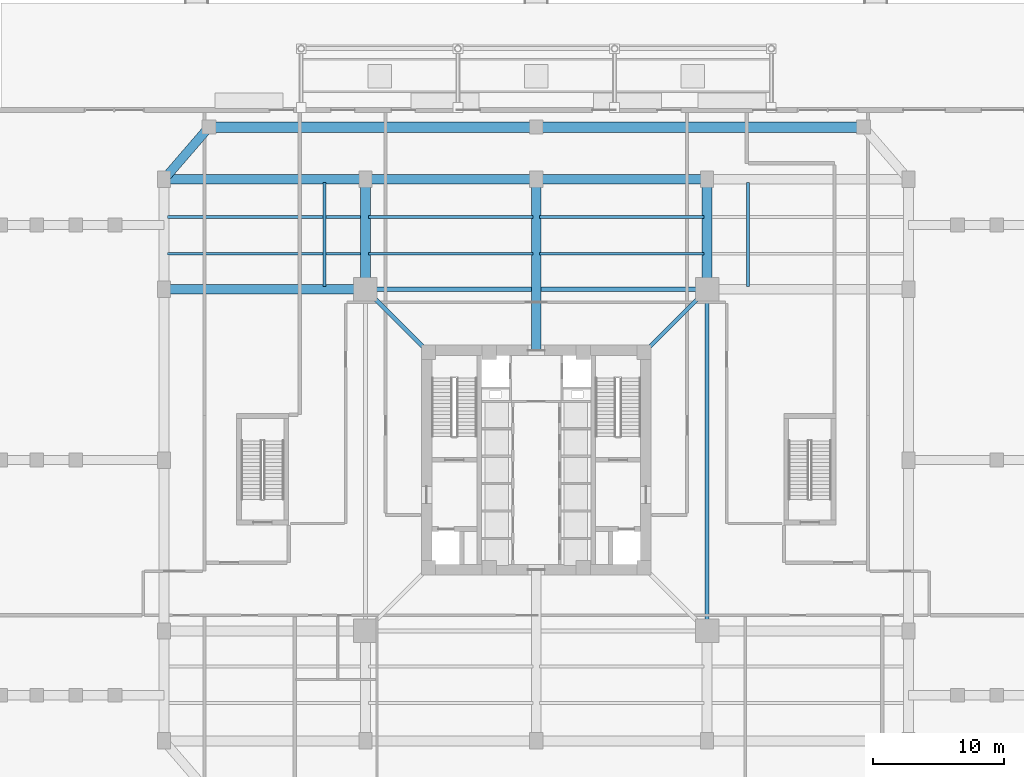
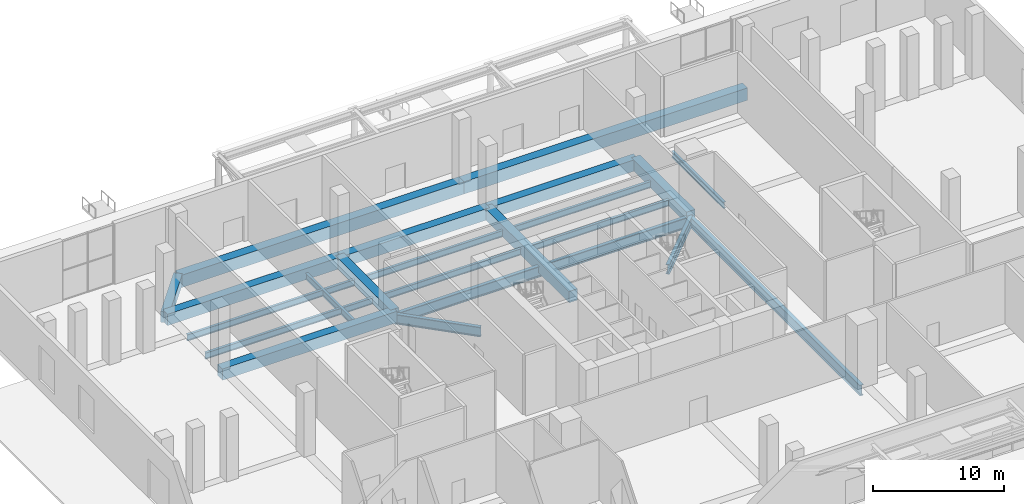
# One storey, part 9 of 25: 22 beams.
"""IFC4 building model written with IfcOpenShell, lengths in metres."""

from ifc_helpers import new_model, si_unit, direction, frame, origin, origin_2d, place, context, subcontext, project, spatial, rectangle, i_section, extrude, source, transform, mapped, material, material_profile, profile_set, type_object, element, save


model = new_model("IFC4")

# Units and contexts
model_context = context("Model", 3, precision=1e-05, world=origin(), true_north=direction((0.0, 1.0)))
body_context = subcontext(model_context, "Body", "Model", "MODEL_VIEW")
ifc_project = project(units=[si_unit("LENGTHUNIT", "METRE"), si_unit("AREAUNIT", "SQUARE_METRE"), si_unit("VOLUMEUNIT", "CUBIC_METRE"), si_unit("PLANEANGLEUNIT", "RADIAN"), si_unit("MASSUNIT", "GRAM", prefix="KILO"), si_unit("THERMODYNAMICTEMPERATUREUNIT", "KELVIN")], contexts=[model_context])

# Site, building, storey
site_placement = place(None, origin())
site = spatial("IfcSite", under=ifc_project, at=site_placement, CompositionType="ELEMENT")
building_placement = place(site_placement, origin())
building = spatial("IfcBuilding", under=site, at=building_placement, Name="Kosmvard Interchange Tower", CompositionType="ELEMENT")
storey_placement = place(building_placement, origin())
storey = spatial("IfcBuildingStorey", under=building, at=storey_placement, Name="L00", CompositionType="ELEMENT", Elevation=0.0)

# Beams
ifc_material_1 = material(Name="Steel S460", Category="steel")
ifc_material_profile_1 = material_profile(ifc_material_1, i_section(OverallWidth=0.30810546875, OverallDepth=0.909912109375, WebThickness=0.02099609375, FlangeThickness=0.0400390625, FilletRadius=0.027099609375, at=origin_2d()), Name="HEM 900")
ifc_profile_set_1 = profile_set([ifc_material_profile_1], Name="Steel S460")
beam_type_1 = type_object("IfcBeamType", Name="Primary Mega-Frame Girder HEM 900 S460", PredefinedType="BEAM", material=ifc_profile_set_1)
shared_shape_1 = source(origin(), body_context, "Body", "SweptSolid", [
    extrude(i_section(OverallWidth=0.30810546875, OverallDepth=0.909912109375, WebThickness=0.02099609375, FlangeThickness=0.0400390625, FilletRadius=0.027099609375, at=origin_2d()), origin(), (0.0, 0.0, 1.0), 6.83203125),
])
for number, where, z_axis, x_axis, name in (
    (1, (8.25, 8.25, -0.85498046875), (0.707106781187, 0.707106781187, 0.0), (-0.707106781187, 0.707106781187, 0.0), "L00 Radial Mega-Frame Girder 3"),
    (2, (-8.25, 8.25, -0.85498046875), (-0.707106781187, 0.707106781187, 0.0), (-0.707106781187, -0.707106781187, 0.0), "L00 Radial Mega-Frame Girder 4"),
):
    element("IfcBeam", number, at=place(storey_placement, frame(where, z_axis=z_axis, x_axis=x_axis)), inside=storey, type_object=beam_type_1, Name=name, PredefinedType="BEAM", context=body_context, shape_type="MappedRepresentation", body=[
        mapped(shared_shape_1, transform((0.0, 0.0, 0.0), scale=1.0)),
    ])
ifc_material_profile_2 = material_profile(ifc_material_1, i_section(OverallWidth=0.30908203125, OverallDepth=1.008056640625, WebThickness=0.02099609375, FlangeThickness=0.0400390625, FilletRadius=0.030029296875, at=origin_2d()), Name="HEM 1000")
ifc_profile_set_2 = profile_set([ifc_material_profile_2], Name="Steel S460")
beam_type_2 = type_object("IfcBeamType", Name="Mega-Column Ring Girder HEM 1000 S460", PredefinedType="BEAM", material=ifc_profile_set_2)
shared_shape_2 = source(origin(), body_context, "Body", "SweptSolid", [
    extrude(i_section(OverallWidth=0.30908203125, OverallDepth=1.008056640625, WebThickness=0.02099609375, FlangeThickness=0.0400390625, FilletRadius=0.030029296875, at=origin_2d()), origin(), (0.0, 0.0, 1.0), 26.162109375),
])
for number, where, z_axis, x_axis, name in (
    (3, (13.0810546875, -13.0810546875, -0.904052734375), (0.0, 1.0, 0.0), (-1.0, 0.0, 0.0), "L00 Mega-Column Ring Girder 2"),
    (4, (13.0810546875, 13.0810546875, -0.904052734375), (-1.0, 0.0, 0.0), (0.0, -1.0, 0.0), "L00 Mega-Column Ring Girder 3"),
):
    element("IfcBeam", number, at=place(storey_placement, frame(where, z_axis=z_axis, x_axis=x_axis)), inside=storey, type_object=beam_type_2, Name=name, PredefinedType="BEAM", context=body_context, shape_type="MappedRepresentation", body=[
        mapped(shared_shape_2, transform((0.0, 0.0, 0.0), scale=1.0)),
    ])
ifc_material_2 = material(Name="Steel S355", Category="steel")
ifc_material_profile_3 = material_profile(ifc_material_2, i_section(OverallWidth=0.219970703125, OverallDepth=0.60009765625, WebThickness=0.011962890625, FlangeThickness=0.01904296875, FilletRadius=0.02392578125, at=origin_2d()), Name="IPE 600")
ifc_profile_set_3 = profile_set([ifc_material_profile_3], Name="Steel S355")
beam_type_3 = type_object("IfcBeamType", Name="Long-Span Floor Joist IPE 600 S355", PredefinedType="JOIST", material=ifc_profile_set_3)
shared_shape_3 = source(origin(), body_context, "Body", "SweptSolid", [
    extrude(i_section(OverallWidth=0.219970703125, OverallDepth=0.60009765625, WebThickness=0.011962890625, FlangeThickness=0.01904296875, FilletRadius=0.02392578125, at=origin_2d()), origin(), (0.0, 0.0, 1.0), 14.949951171875),
])
for number, where, z_axis, x_axis, name in (
    (5, (-28.25, 15.800048828125, -0.699951171875), (1.0, 0.0, 0.0), (0.0, 1.0, 0.0), "BM-L00-PJ09"),
    (6, (-28.25, 18.60009765625, -0.699951171875), (1.0, 0.0, 0.0), (0.0, 1.0, 0.0), "BM-L00-PJ13"),
):
    element("IfcBeam", number, at=place(storey_placement, frame(where, z_axis=z_axis, x_axis=x_axis)), inside=storey, type_object=beam_type_3, Name=name, PredefinedType="JOIST", context=body_context, shape_type="MappedRepresentation", body=[
        mapped(shared_shape_3, transform((0.0, 0.0, 0.0), scale=1.0)),
    ])
shared_shape_4 = source(origin(), body_context, "Body", "SweptSolid", [
    extrude(i_section(OverallWidth=0.219970703125, OverallDepth=0.60009765625, WebThickness=0.011962890625, FlangeThickness=0.01904296875, FilletRadius=0.02392578125, at=origin_2d()), origin(), (0.0, 0.0, 1.0), 12.60009765625),
])
for number, where, z_axis, x_axis, name in (
    (7, (-12.85009765625, 15.800048828125, -0.699951171875), (1.0, 0.0, 0.0), (0.0, 1.0, 0.0), "BM-L00-PJ10"),
    (8, (0.25, 15.800048828125, -0.699951171875), (1.0, 0.0, 0.0), (0.0, 1.0, 0.0), "BM-L00-PJ11"),
    (9, (-12.85009765625, 18.60009765625, -0.699951171875), (1.0, 0.0, 0.0), (0.0, 1.0, 0.0), "BM-L00-PJ14"),
    (10, (0.25, 18.60009765625, -0.699951171875), (1.0, 0.0, 0.0), (0.0, 1.0, 0.0), "BM-L00-PJ15"),
):
    element("IfcBeam", number, at=place(storey_placement, frame(where, z_axis=z_axis, x_axis=x_axis)), inside=storey, type_object=beam_type_3, Name=name, PredefinedType="JOIST", context=body_context, shape_type="MappedRepresentation", body=[
        mapped(shared_shape_4, transform((0.0, 0.0, 0.0), scale=1.0)),
    ])
shared_shape_5 = source(origin(), body_context, "Body", "SweptSolid", [
    extrude(i_section(OverallWidth=0.219970703125, OverallDepth=0.60009765625, WebThickness=0.011962890625, FlangeThickness=0.01904296875, FilletRadius=0.02392578125, at=origin_2d()), origin(), (0.0, 0.0, 1.0), 7.949951171875),
])
for number, where, z_axis, x_axis, name in (
    (11, (-16.199951171875, 13.300048828125, -0.699951171875), (0.0, 1.0, 0.0), (-1.0, 0.0, 0.0), "BM-L00-PJ17"),
    (12, (16.199951171875, 13.300048828125, -0.699951171875), (0.0, 1.0, 0.0), (-1.0, 0.0, 0.0), "BM-L00-PJ18"),
):
    element("IfcBeam", number, at=place(storey_placement, frame(where, z_axis=z_axis, x_axis=x_axis)), inside=storey, type_object=beam_type_3, Name=name, PredefinedType="JOIST", context=body_context, shape_type="MappedRepresentation", body=[
        mapped(shared_shape_5, transform((0.0, 0.0, 0.0), scale=1.0)),
    ])
ifc_material_3 = material(Name="Concrete C60/75", Category="concrete")
ifc_material_profile_4 = material_profile(ifc_material_3, rectangle(XDim=0.75, YDim=1.050048828125, at=origin_2d()), Name="RCG 750x1050")
ifc_profile_set_4 = profile_set([ifc_material_profile_4], Name="Concrete C60/75")
beam_type_4 = type_object("IfcBeamType", Name="Concourse Mid-Span RC Girder 750x1050 C60/75", PredefinedType="BEAM", material=ifc_profile_set_4)
shared_shape_6 = source(origin(), body_context, "Body", "SweptSolid", [
    extrude(rectangle(XDim=0.75, YDim=1.050048828125, at=origin_2d()), origin(), (0.0, 0.0, 1.0), 15.4189453125),
])
for number, where, z_axis, x_axis, name in (
    (13, (-28.5, 21.5, -0.52490234375), (1.0, 0.0, 0.0), (0.0, 1.0, 0.0), "BM-L00-PG-N1"),
    (14, (-28.5, 13.0810546875, -0.52490234375), (1.0, 0.0, 0.0), (0.0, 1.0, 0.0), "BM-L00-PG-CW2"),
):
    element("IfcBeam", number, at=place(storey_placement, frame(where, z_axis=z_axis, x_axis=x_axis)), inside=storey, type_object=beam_type_4, Name=name, PredefinedType="BEAM", context=body_context, shape_type="MappedRepresentation", body=[
        mapped(shared_shape_6, transform((0.0, 0.0, 0.0), scale=1.0)),
    ])
shared_shape_7 = source(origin(), body_context, "Body", "SweptSolid", [
    extrude(rectangle(XDim=0.75, YDim=1.050048828125, at=origin_2d()), origin(), (0.0, 0.0, 1.0), 13.0810546875),
])
for number, where, z_axis, x_axis, name in (
    (15, (-13.0810546875, 21.5, -0.52490234375), (1.0, 0.0, 0.0), (0.0, 1.0, 0.0), "BM-L00-PG-N2"),
    (16, (0.0, 21.5, -0.52490234375), (1.0, 0.0, 0.0), (0.0, 1.0, 0.0), "BM-L00-PG-N3"),
):
    element("IfcBeam", number, at=place(storey_placement, frame(where, z_axis=z_axis, x_axis=x_axis)), inside=storey, type_object=beam_type_4, Name=name, PredefinedType="BEAM", context=body_context, shape_type="MappedRepresentation", body=[
        mapped(shared_shape_7, transform((0.0, 0.0, 0.0), scale=1.0)),
    ])
shared_shape_8 = source(origin(), body_context, "Body", "SweptSolid", [
    extrude(rectangle(XDim=0.75, YDim=1.050048828125, at=origin_2d()), origin(), (0.0, 0.0, 1.0), 8.4189453125),
])
for number, where, z_axis, x_axis, name in (
    (17, (-13.0810546875, 21.5, -0.52490234375), (0.0, -1.0, 0.0), (1.0, 0.0, 0.0), "BM-L00-PG-CN1"),
    (18, (13.0810546875, 21.5, -0.52490234375), (0.0, -1.0, 0.0), (1.0, 0.0, 0.0), "BM-L00-PG-CN2"),
):
    element("IfcBeam", number, at=place(storey_placement, frame(where, z_axis=z_axis, x_axis=x_axis)), inside=storey, type_object=beam_type_4, Name=name, PredefinedType="BEAM", context=body_context, shape_type="MappedRepresentation", body=[
        mapped(shared_shape_8, transform((0.0, 0.0, 0.0), scale=1.0)),
    ])
shared_shape_9 = source(origin(), body_context, "Body", "SweptSolid", [
    extrude(rectangle(XDim=0.75, YDim=1.050048828125, at=origin_2d()), origin(), (0.0, 0.0, 1.0), 13.10009765625),
])
beam_1_placement = place(storey_placement, frame((0.0, 21.5, -0.52490234375), z_axis=(0.0, -1.0, 0.0), x_axis=(1.0, 0.0, 0.0)))
element("IfcBeam", 19, at=beam_1_placement, inside=storey, type_object=beam_type_4, Name="BM-L00-PG-MN", PredefinedType="BEAM", context=body_context, shape_type="MappedRepresentation", body=[
    mapped(shared_shape_9, transform((0.0, 0.0, 0.0), scale=1.0)),
])
ifc_material_profile_5 = material_profile(ifc_material_3, rectangle(XDim=0.800048828125, YDim=1.14990234375, at=origin_2d()), Name="RCG 800x1150")
ifc_profile_set_5 = profile_set([ifc_material_profile_5], Name="Concrete C60/75")
beam_type_5 = type_object("IfcBeamType", Name="Concourse Long-Span RC Girder 800x1150 C60/75", PredefinedType="BEAM", material=ifc_profile_set_5)
shared_shape_10 = source(origin(), body_context, "Body", "SweptSolid", [
    extrude(rectangle(XDim=0.800048828125, YDim=1.14990234375, at=origin_2d()), origin(), (0.0, 0.0, 1.0), 25.050048828125),
])
for number, where, z_axis, x_axis, name in (
    (20, (-25.050048828125, 25.5, -0.574951171875), (1.0, 0.0, 0.0), (0.0, 1.0, 0.0), "BM-L00-PG-TN1"),
    (21, (0.0, 25.5, -0.574951171875), (1.0, 0.0, 0.0), (0.0, 1.0, 0.0), "BM-L00-PG-TN2"),
):
    element("IfcBeam", number, at=place(storey_placement, frame(where, z_axis=z_axis, x_axis=x_axis)), inside=storey, type_object=beam_type_5, Name=name, PredefinedType="BEAM", context=body_context, shape_type="MappedRepresentation", body=[
        mapped(shared_shape_10, transform((0.0, 0.0, 0.0), scale=1.0)),
    ])
ifc_material_profile_6 = material_profile(ifc_material_3, rectangle(XDim=0.699951171875, YDim=1.0, at=origin_2d()), Name="RCG 700x1000")
ifc_profile_set_6 = profile_set([ifc_material_profile_6], Name="Concrete C60/75")
beam_type_6 = type_object("IfcBeamType", Name="Concourse Primary RC Girder 700x1000 C60/75", PredefinedType="BEAM", material=ifc_profile_set_6)
shared_shape_11 = source(origin(), body_context, "Body", "SweptSolid", [
    extrude(rectangle(XDim=0.699951171875, YDim=1.0, at=origin_2d()), origin(), (0.0, 0.0, 1.0), 5.2822265625),
])
beam_2_placement = place(storey_placement, frame((-25.050048828125, 25.5, -0.5), z_axis=(-0.653121547432, -0.757253091298, 0.0), x_axis=(0.757253091298, -0.653121547432, 0.0)))
element("IfcBeam", 22, at=beam_2_placement, inside=storey, type_object=beam_type_6, Name="BM-L00-PG-TNL", PredefinedType="BEAM", context=body_context, shape_type="MappedRepresentation", body=[
    mapped(shared_shape_11, transform((0.0, 0.0, 0.0), scale=1.0)),
])

save(model, "model.ifc")
